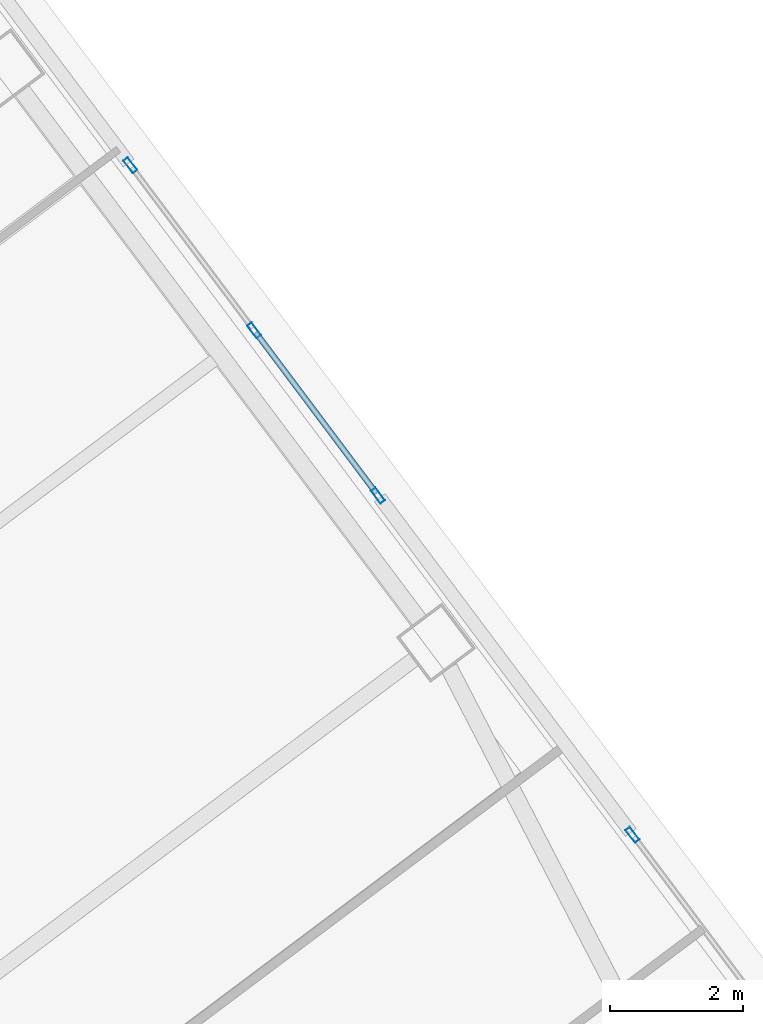
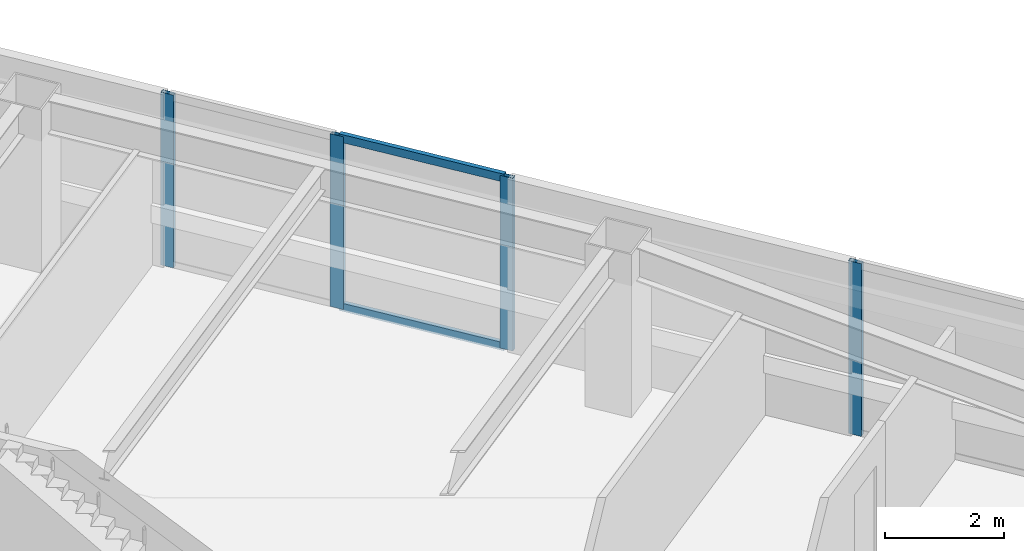
# One storey, part 29 of 45: 6 members, 2 elements without a shape of their own.
"""IFC4 building model written with IfcOpenShell, lengths in metres."""

from ifc_helpers import new_model, si_unit, direction, frame, origin, origin_2d, place, context, subcontext, project, spatial, hollow_rectangle, extrude, material, material_profile, profile_set, type_object, element, aggregate, save


model = new_model("IFC4")

# Units and contexts
model_context = context("Model", 3, precision=1e-05, world=origin(), true_north=direction((0.0, 1.0)))
body_context = subcontext(model_context, "Body", "Model", "MODEL_VIEW")
ifc_project = project(units=[si_unit("LENGTHUNIT", "METRE"), si_unit("AREAUNIT", "SQUARE_METRE"), si_unit("VOLUMEUNIT", "CUBIC_METRE"), si_unit("PLANEANGLEUNIT", "RADIAN"), si_unit("MASSUNIT", "GRAM", prefix="KILO")], contexts=[model_context])

# Site, building, storey
site_placement = place(None, origin())
site = spatial("IfcSite", under=ifc_project, at=site_placement, CompositionType="ELEMENT")
building_placement = place(site_placement, origin())
building = spatial("IfcBuilding", under=site, at=building_placement, Name="Tashvorn Skyway Center", CompositionType="ELEMENT")
storey_placement = place(building_placement, frame((0.0, 0.0, 35.25)))
storey = spatial("IfcBuildingStorey", under=building, at=storey_placement, Name="L08", CompositionType="ELEMENT", Elevation=35.25)

# Curtain wall, members
ifc_material = material(Name="Thermally broken bronze-anodized aluminium 6063-T6", Category="aluminium")
curtain_wall_type = type_object("IfcCurtainWallType", Name="CW-CW-Z1", PredefinedType="NOTDEFINED", material=ifc_material)
curtain_wall_1_placement = place(storey_placement, origin())
curtain_wall_1 = element("IfcCurtainWall", 1, at=curtain_wall_1_placement, inside=storey, type_object=curtain_wall_type, Name="Tower 2 L08 East Unitised Curtain Wall Glazing Group 2", PredefinedType="NOTDEFINED")
ifc_material_profile_1 = material_profile(ifc_material, hollow_rectangle(XDim=0.0849609375, YDim=0.239990234375, WallThickness=0.0048828125, at=origin_2d()), Name="ALU-MULL-85x240")
ifc_profile_set_1 = profile_set([ifc_material_profile_1], Name="Thermally broken bronze-anodized aluminium 6063-T6")
member_type_1 = type_object("IfcMemberType", Name="CWM-CW-Z1", PredefinedType="MULLION", material=ifc_profile_set_1)
member_1_placement = place(storey_placement, frame((129.4814453125, 47.4912109375, 0.0), z_axis=(0.0, 0.0, 1.0), x_axis=(0.799996186392, 0.600005084776, 0.0)))
member_1 = element("IfcMember", 2, at=member_1_placement, type_object=member_type_1, Name="CW-Z1 mullion 1", PredefinedType="MULLION", context=body_context, shape_type="SweptSolid", body=[
    extrude(hollow_rectangle(XDim=0.0849609375, YDim=0.239990234375, WallThickness=0.0048828125, at=origin_2d()), origin(), (0.0, 0.0, 1.0), 3.550048828125),
])
member_2_placement = place(storey_placement, frame((131.343994140625, 45.008056640625, 0.0), z_axis=(0.0, 0.0, 1.0), x_axis=(0.799996186392, 0.600005084776, 0.0)))
member_2 = element("IfcMember", 3, at=member_2_placement, type_object=member_type_1, Name="CW-Z1 mullion 2", PredefinedType="MULLION", context=body_context, shape_type="SweptSolid", body=[
    extrude(hollow_rectangle(XDim=0.0849609375, YDim=0.239990234375, WallThickness=0.0048828125, at=origin_2d()), origin(), (0.0, 0.0, 1.0), 3.550048828125),
])
member_3_placement = place(storey_placement, frame((133.20654296875, 42.524658203125, 0.0), z_axis=(0.0, 0.0, 1.0), x_axis=(0.799996186392, 0.600005084776, 0.0)))
member_3 = element("IfcMember", 4, at=member_3_placement, type_object=member_type_1, Name="CW-Z1 mullion 3", PredefinedType="MULLION", context=body_context, shape_type="SweptSolid", body=[
    extrude(hollow_rectangle(XDim=0.0849609375, YDim=0.239990234375, WallThickness=0.0048828125, at=origin_2d()), origin(), (0.0, 0.0, 1.0), 3.550048828125),
])

# Curtain wall, member
curtain_wall_2_placement = place(storey_placement, origin())
curtain_wall_2 = element("IfcCurtainWall", 5, at=curtain_wall_2_placement, inside=storey, type_object=curtain_wall_type, Name="Tower 2 L08 East Unitised Curtain Wall Glazing Group 3", PredefinedType="NOTDEFINED")
member_4_placement = place(storey_placement, frame((137.033447265625, 37.422119140625, 0.0), z_axis=(0.0, 0.0, 1.0), x_axis=(0.799999999998, 0.600000000002, 0.0)))
member_4 = element("IfcMember", 6, at=member_4_placement, type_object=member_type_1, Name="CW-Z1 mullion 1", PredefinedType="MULLION", context=body_context, shape_type="SweptSolid", body=[
    extrude(hollow_rectangle(XDim=0.0849609375, YDim=0.239990234375, WallThickness=0.0048828125, at=origin_2d()), origin(), (0.0, 0.0, 1.0), 3.550048828125),
])
aggregate(curtain_wall_2, [member_4])

# Member
ifc_material_profile_2 = material_profile(ifc_material, hollow_rectangle(XDim=0.0849609375, YDim=0.1650390625, WallThickness=0.0048828125, at=origin_2d()), Name="ALU-TRAN-85x165")
ifc_profile_set_2 = profile_set([ifc_material_profile_2], Name="Thermally broken bronze-anodized aluminium 6063-T6")
member_type_2 = type_object("IfcMemberType", Name="CWT-CW-Z1", PredefinedType="USERDEFINED", material=ifc_profile_set_2)
member_5_placement = place(storey_placement, frame((131.369384765625, 44.97412109375, 0.04248046875), z_axis=(0.599974124791, -0.800019405753, 0.0), x_axis=(0.800019405753, 0.599974124791, 0.0)))
member_5 = element("IfcMember", 7, at=member_5_placement, type_object=member_type_2, Name="CW-Z1 transom 2.1", ObjectType="TRANSOM", PredefinedType="USERDEFINED", context=body_context, shape_type="SweptSolid", body=[
    extrude(hollow_rectangle(XDim=0.0849609375, YDim=0.1650390625, WallThickness=0.0048828125, at=origin_2d()), origin(), (0.0, 0.0, 1.0), 3.019287109375),
])

member_6_placement = place(storey_placement, frame((131.369384765625, 44.97412109375, 3.507568359375), z_axis=(0.599974124791, -0.800019405753, 0.0), x_axis=(0.800019405753, 0.599974124791, 0.0)))
member_6 = element("IfcMember", 8, at=member_6_placement, type_object=member_type_2, Name="CW-Z1 transom 2.2", ObjectType="TRANSOM", PredefinedType="USERDEFINED", context=body_context, shape_type="SweptSolid", body=[
    extrude(hollow_rectangle(XDim=0.0849609375, YDim=0.1650390625, WallThickness=0.0048828125, at=origin_2d()), origin(), (0.0, 0.0, 1.0), 3.019287109375),
])

aggregate(curtain_wall_1, [member_1, member_2, member_3, member_5, member_6])

save(model, "model.ifc")
